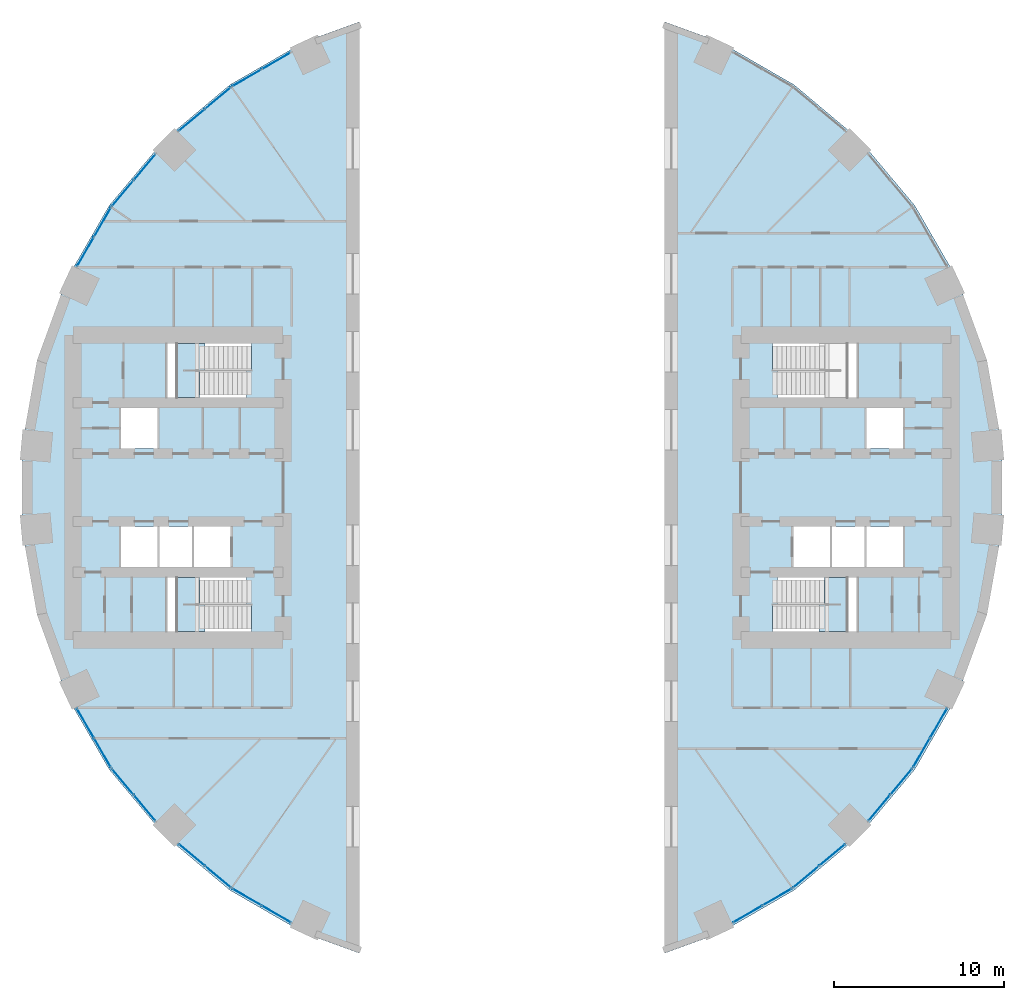
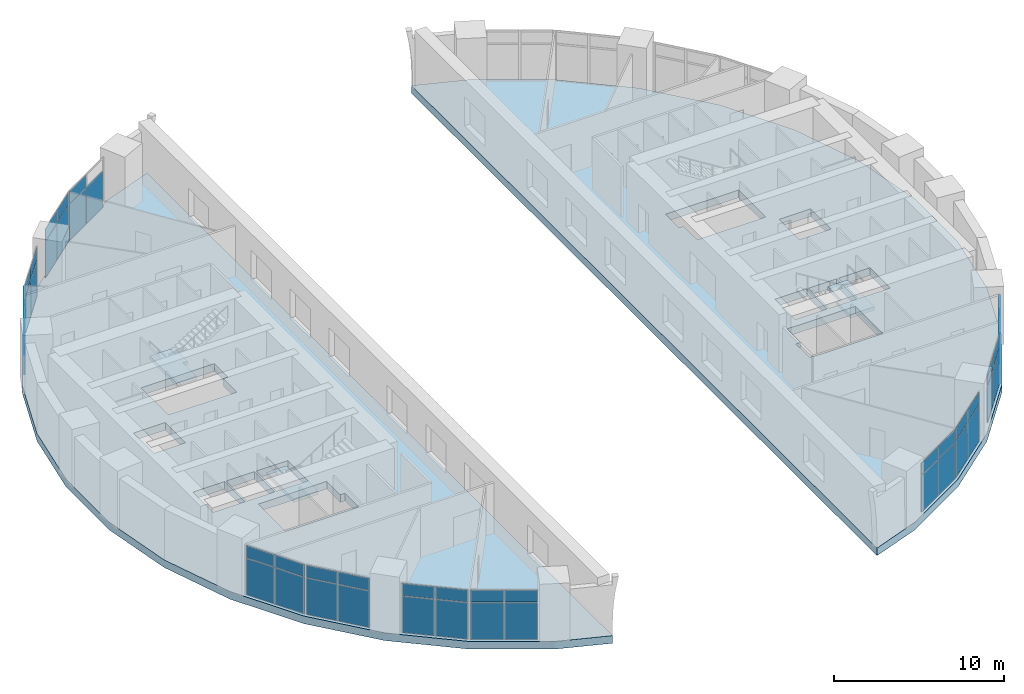
# One storey, part 6 of 13: 47 plates, 5 slabs, 15 elements without a shape of their own.
"""IFC4 building model written with IfcOpenShell, lengths in metres."""

from ifc_helpers import new_model, si_unit, direction, frame, origin, origin_2d, place, context, subcontext, project, spatial, polyline, rectangle, outline, extrude, material, layer, layer_set, type_object, element, aggregate, save


model = new_model("IFC4")

# Units and contexts
model_context = context("Model", 3, precision=1e-05, world=origin(), true_north=direction((0.0, 1.0)))
body_context = subcontext(model_context, "Body", "Model", "MODEL_VIEW")
ifc_project = project(units=[si_unit("LENGTHUNIT", "METRE"), si_unit("AREAUNIT", "SQUARE_METRE"), si_unit("VOLUMEUNIT", "CUBIC_METRE"), si_unit("PLANEANGLEUNIT", "RADIAN"), si_unit("MASSUNIT", "GRAM", prefix="KILO")], contexts=[model_context])

# Site, building, storey
site_placement = place(None, origin())
site = spatial("IfcSite", under=ifc_project, at=site_placement, CompositionType="ELEMENT")
building_placement = place(site_placement, origin())
building = spatial("IfcBuilding", under=site, at=building_placement, Name="Saqina Gate Tower", CompositionType="ELEMENT")
storey_placement = place(building_placement, frame((0.0, 0.0, 5.0)))
storey = spatial("IfcBuildingStorey", under=building, at=storey_placement, Name="L01", CompositionType="ELEMENT", Elevation=5.0)

# Curtain wall, plates
ifc_material_1 = material(Name="Aluminium glazing", Category="aluminium")
ifc_layer_1 = layer(ifc_material_1, 0.159912109375)
ifc_layer_set_1 = layer_set([ifc_layer_1], Name="CWT-1")
curtain_wall_type = type_object("IfcCurtainWallType", Name="CWT-1", PredefinedType="NOTDEFINED", material=ifc_layer_set_1)
curtain_wall_1_placement = place(storey_placement, origin())
curtain_wall_1 = element("IfcCurtainWall", 1, at=curtain_wall_1_placement, inside=storey, type_object=curtain_wall_type, Name="Podium shopfront facet 12", PredefinedType="NOTDEFINED")
ifc_material_2 = material(Name="Glass", Category="glass")
ifc_layer_2 = layer(ifc_material_2, 0.028076171875)
ifc_layer_set_2 = layer_set([ifc_layer_2], Name="CWT-1P")
plate_type = type_object("IfcPlateType", Name="CWT-1P", PredefinedType="CURTAIN_PANEL", material=ifc_layer_set_2)
plate_1_placement = place(storey_placement, frame((-13.90283203125, 25.158935546875, 0.06005859375), z_axis=(0.0, 0.0, 1.0), x_axis=(-0.866017381415, -0.500013894893, 0.0)))
plate_1 = element("IfcPlate", 2, at=plate_1_placement, type_object=plate_type, Name="CW1-12 panel 1.1", PredefinedType="CURTAIN_PANEL", context=body_context, shape_type="SweptSolid", body=[
    extrude(rectangle(XDim=1.944580078125, YDim=0.028076171875, at=origin_2d()), origin(), (0.0, 0.0, 1.0), 2.610107421875),
])
plate_2_placement = place(storey_placement, frame((-15.638671875, 24.15673828125, 0.06005859375), z_axis=(0.0, 0.0, 1.0), x_axis=(-0.866017381415, -0.500013894893, 0.0)))
plate_2 = element("IfcPlate", 3, at=plate_2_placement, type_object=plate_type, Name="CW1-12 panel 2.1", PredefinedType="CURTAIN_PANEL", context=body_context, shape_type="SweptSolid", body=[
    extrude(rectangle(XDim=1.944580078125, YDim=0.028076171875, at=origin_2d()), origin(), (0.0, 0.0, 1.0), 2.610107421875),
])
plate_3_placement = place(storey_placement, frame((-15.638671875, 24.15673828125, 2.72998046875), z_axis=(0.0, 0.0, 1.0), x_axis=(-0.866017381415, -0.500013894893, 0.0)))
plate_3 = element("IfcPlate", 4, at=plate_3_placement, type_object=plate_type, Name="CW1-12 panel 2.2", PredefinedType="CURTAIN_PANEL", context=body_context, shape_type="SweptSolid", body=[
    extrude(rectangle(XDim=1.944580078125, YDim=0.028076171875, at=origin_2d()), origin(), (0.0, 0.0, 1.0), 0.860107421875),
])
aggregate(curtain_wall_1, [plate_1, plate_2, plate_3])

curtain_wall_2_placement = place(storey_placement, origin())
curtain_wall_2 = element("IfcCurtainWall", 5, at=curtain_wall_2_placement, inside=storey, type_object=curtain_wall_type, Name="Podium shopfront facet 13", PredefinedType="NOTDEFINED")
plate_4_placement = place(storey_placement, frame((-17.35107421875, 22.957763671875, 0.06005859375), z_axis=(0.0, 0.0, 1.0), x_axis=(-0.766051396473, -0.642779322911, 0.0)))
plate_4 = element("IfcPlate", 6, at=plate_4_placement, type_object=plate_type, Name="CW1-13 panel 1.1", PredefinedType="CURTAIN_PANEL", context=body_context, shape_type="SweptSolid", body=[
    extrude(rectangle(XDim=1.944580078125, YDim=0.028076171875, at=origin_2d()), origin(), (0.0, 0.0, 1.0), 2.610107421875),
])
plate_5_placement = place(storey_placement, frame((-17.35107421875, 22.957763671875, 2.72998046875), z_axis=(0.0, 0.0, 1.0), x_axis=(-0.766051396473, -0.642779322911, 0.0)))
plate_5 = element("IfcPlate", 7, at=plate_5_placement, type_object=plate_type, Name="CW1-13 panel 1.2", PredefinedType="CURTAIN_PANEL", context=body_context, shape_type="SweptSolid", body=[
    extrude(rectangle(XDim=1.944580078125, YDim=0.028076171875, at=origin_2d()), origin(), (0.0, 0.0, 1.0), 0.860107421875),
])
plate_6_placement = place(storey_placement, frame((-18.88671875, 21.669189453125, 0.06005859375), z_axis=(0.0, 0.0, 1.0), x_axis=(-0.766051396473, -0.642779322911, 0.0)))
plate_6 = element("IfcPlate", 8, at=plate_6_placement, type_object=plate_type, Name="CW1-13 panel 2.1", PredefinedType="CURTAIN_PANEL", context=body_context, shape_type="SweptSolid", body=[
    extrude(rectangle(XDim=1.944580078125, YDim=0.028076171875, at=origin_2d()), origin(), (0.0, 0.0, 1.0), 2.610107421875),
])
plate_7_placement = place(storey_placement, frame((-18.88671875, 21.669189453125, 2.72998046875), z_axis=(0.0, 0.0, 1.0), x_axis=(-0.766051396473, -0.642779322911, 0.0)))
plate_7 = element("IfcPlate", 9, at=plate_7_placement, type_object=plate_type, Name="CW1-13 panel 2.2", PredefinedType="CURTAIN_PANEL", context=body_context, shape_type="SweptSolid", body=[
    extrude(rectangle(XDim=1.944580078125, YDim=0.028076171875, at=origin_2d()), origin(), (0.0, 0.0, 1.0), 0.860107421875),
])
aggregate(curtain_wall_2, [plate_4, plate_5, plate_6, plate_7])

curtain_wall_3_placement = place(storey_placement, origin())
curtain_wall_3 = element("IfcCurtainWall", 10, at=curtain_wall_3_placement, inside=storey, type_object=curtain_wall_type, Name="Podium shopfront facet 14", PredefinedType="NOTDEFINED")
plate_8_placement = place(storey_placement, frame((-21.669189453125, 18.88671875, 0.06005859375), z_axis=(0.0, 0.0, 1.0), x_axis=(-0.642779322911, -0.766051396473, 0.0)))
plate_8 = element("IfcPlate", 11, at=plate_8_placement, type_object=plate_type, Name="CW1-14 panel 1.1", PredefinedType="CURTAIN_PANEL", context=body_context, shape_type="SweptSolid", body=[
    extrude(rectangle(XDim=1.944580078125, YDim=0.028076171875, at=origin_2d()), origin(), (0.0, 0.0, 1.0), 2.610107421875),
])
plate_9_placement = place(storey_placement, frame((-21.669189453125, 18.88671875, 2.72998046875), z_axis=(0.0, 0.0, 1.0), x_axis=(-0.642779322911, -0.766051396473, 0.0)))
plate_9 = element("IfcPlate", 12, at=plate_9_placement, type_object=plate_type, Name="CW1-14 panel 1.2", PredefinedType="CURTAIN_PANEL", context=body_context, shape_type="SweptSolid", body=[
    extrude(rectangle(XDim=1.944580078125, YDim=0.028076171875, at=origin_2d()), origin(), (0.0, 0.0, 1.0), 0.860107421875),
])
plate_10_placement = place(storey_placement, frame((-22.957763671875, 17.35107421875, 0.06005859375), z_axis=(0.0, 0.0, 1.0), x_axis=(-0.642779322911, -0.766051396473, 0.0)))
plate_10 = element("IfcPlate", 13, at=plate_10_placement, type_object=plate_type, Name="CW1-14 panel 2.1", PredefinedType="CURTAIN_PANEL", context=body_context, shape_type="SweptSolid", body=[
    extrude(rectangle(XDim=1.944580078125, YDim=0.028076171875, at=origin_2d()), origin(), (0.0, 0.0, 1.0), 2.610107421875),
])
plate_11_placement = place(storey_placement, frame((-22.957763671875, 17.35107421875, 2.72998046875), z_axis=(0.0, 0.0, 1.0), x_axis=(-0.642779322911, -0.766051396473, 0.0)))
plate_11 = element("IfcPlate", 14, at=plate_11_placement, type_object=plate_type, Name="CW1-14 panel 2.2", PredefinedType="CURTAIN_PANEL", context=body_context, shape_type="SweptSolid", body=[
    extrude(rectangle(XDim=1.944580078125, YDim=0.028076171875, at=origin_2d()), origin(), (0.0, 0.0, 1.0), 0.860107421875),
])
aggregate(curtain_wall_3, [plate_8, plate_9, plate_10, plate_11])

curtain_wall_4_placement = place(storey_placement, origin())
curtain_wall_4 = element("IfcCurtainWall", 15, at=curtain_wall_4_placement, inside=storey, type_object=curtain_wall_type, Name="Podium shopfront facet 15", PredefinedType="NOTDEFINED")
plate_12_placement = place(storey_placement, frame((-24.15673828125, 15.638671875, 0.06005859375), z_axis=(0.0, 0.0, 1.0), x_axis=(-0.500013894893, -0.866017381415, 0.0)))
plate_12 = element("IfcPlate", 16, at=plate_12_placement, type_object=plate_type, Name="CW1-15 panel 1.1", PredefinedType="CURTAIN_PANEL", context=body_context, shape_type="SweptSolid", body=[
    extrude(rectangle(XDim=1.944580078125, YDim=0.028076171875, at=origin_2d()), origin(), (0.0, 0.0, 1.0), 2.610107421875),
])
plate_13_placement = place(storey_placement, frame((-24.15673828125, 15.638671875, 2.72998046875), z_axis=(0.0, 0.0, 1.0), x_axis=(-0.500013894893, -0.866017381415, 0.0)))
plate_13 = element("IfcPlate", 17, at=plate_13_placement, type_object=plate_type, Name="CW1-15 panel 1.2", PredefinedType="CURTAIN_PANEL", context=body_context, shape_type="SweptSolid", body=[
    extrude(rectangle(XDim=1.944580078125, YDim=0.028076171875, at=origin_2d()), origin(), (0.0, 0.0, 1.0), 0.860107421875),
])
plate_14_placement = place(storey_placement, frame((-25.158935546875, 13.90283203125, 0.06005859375), z_axis=(0.0, 0.0, 1.0), x_axis=(-0.500013894893, -0.866017381415, 0.0)))
plate_14 = element("IfcPlate", 18, at=plate_14_placement, type_object=plate_type, Name="CW1-15 panel 2.1", PredefinedType="CURTAIN_PANEL", context=body_context, shape_type="SweptSolid", body=[
    extrude(rectangle(XDim=1.944580078125, YDim=0.028076171875, at=origin_2d()), origin(), (0.0, 0.0, 1.0), 2.610107421875),
])
plate_15_placement = place(storey_placement, frame((-25.158935546875, 13.90283203125, 2.72998046875), z_axis=(0.0, 0.0, 1.0), x_axis=(-0.500013894893, -0.866017381415, 0.0)))
plate_15 = element("IfcPlate", 19, at=plate_15_placement, type_object=plate_type, Name="CW1-15 panel 2.2", PredefinedType="CURTAIN_PANEL", context=body_context, shape_type="SweptSolid", body=[
    extrude(rectangle(XDim=1.944580078125, YDim=0.028076171875, at=origin_2d()), origin(), (0.0, 0.0, 1.0), 0.860107421875),
])
aggregate(curtain_wall_4, [plate_12, plate_13, plate_14, plate_15])

curtain_wall_5_placement = place(storey_placement, origin())
curtain_wall_5 = element("IfcCurtainWall", 20, at=curtain_wall_5_placement, inside=storey, type_object=curtain_wall_type, Name="Podium shopfront facet 21", PredefinedType="NOTDEFINED")
plate_16_placement = place(storey_placement, frame((-25.158935546875, -13.90283203125, 0.06005859375), z_axis=(0.0, 0.0, 1.0), x_axis=(0.500013894893, -0.866017381415, 0.0)))
plate_16 = element("IfcPlate", 21, at=plate_16_placement, type_object=plate_type, Name="CW1-21 panel 1.1", PredefinedType="CURTAIN_PANEL", context=body_context, shape_type="SweptSolid", body=[
    extrude(rectangle(XDim=1.944580078125, YDim=0.028076171875, at=origin_2d()), origin(), (0.0, 0.0, 1.0), 2.610107421875),
])
plate_17_placement = place(storey_placement, frame((-25.158935546875, -13.90283203125, 2.72998046875), z_axis=(0.0, 0.0, 1.0), x_axis=(0.500013894893, -0.866017381415, 0.0)))
plate_17 = element("IfcPlate", 22, at=plate_17_placement, type_object=plate_type, Name="CW1-21 panel 1.2", PredefinedType="CURTAIN_PANEL", context=body_context, shape_type="SweptSolid", body=[
    extrude(rectangle(XDim=1.944580078125, YDim=0.028076171875, at=origin_2d()), origin(), (0.0, 0.0, 1.0), 0.860107421875),
])
plate_18_placement = place(storey_placement, frame((-24.15673828125, -15.638671875, 0.06005859375), z_axis=(0.0, 0.0, 1.0), x_axis=(0.500013894893, -0.866017381415, 0.0)))
plate_18 = element("IfcPlate", 23, at=plate_18_placement, type_object=plate_type, Name="CW1-21 panel 2.1", PredefinedType="CURTAIN_PANEL", context=body_context, shape_type="SweptSolid", body=[
    extrude(rectangle(XDim=1.944580078125, YDim=0.028076171875, at=origin_2d()), origin(), (0.0, 0.0, 1.0), 2.610107421875),
])
plate_19_placement = place(storey_placement, frame((-24.15673828125, -15.638671875, 2.72998046875), z_axis=(0.0, 0.0, 1.0), x_axis=(0.500013894893, -0.866017381415, 0.0)))
plate_19 = element("IfcPlate", 24, at=plate_19_placement, type_object=plate_type, Name="CW1-21 panel 2.2", PredefinedType="CURTAIN_PANEL", context=body_context, shape_type="SweptSolid", body=[
    extrude(rectangle(XDim=1.944580078125, YDim=0.028076171875, at=origin_2d()), origin(), (0.0, 0.0, 1.0), 0.860107421875),
])
aggregate(curtain_wall_5, [plate_16, plate_17, plate_18, plate_19])

curtain_wall_6_placement = place(storey_placement, origin())
curtain_wall_6 = element("IfcCurtainWall", 25, at=curtain_wall_6_placement, inside=storey, type_object=curtain_wall_type, Name="Podium shopfront facet 22", PredefinedType="NOTDEFINED")
plate_20_placement = place(storey_placement, frame((-22.957763671875, -17.35107421875, 0.06005859375), z_axis=(0.0, 0.0, 1.0), x_axis=(0.642779322911, -0.766051396473, 0.0)))
plate_20 = element("IfcPlate", 26, at=plate_20_placement, type_object=plate_type, Name="CW1-22 panel 1.1", PredefinedType="CURTAIN_PANEL", context=body_context, shape_type="SweptSolid", body=[
    extrude(rectangle(XDim=1.944580078125, YDim=0.028076171875, at=origin_2d()), origin(), (0.0, 0.0, 1.0), 2.610107421875),
])
plate_21_placement = place(storey_placement, frame((-22.957763671875, -17.35107421875, 2.72998046875), z_axis=(0.0, 0.0, 1.0), x_axis=(0.642779322911, -0.766051396473, 0.0)))
plate_21 = element("IfcPlate", 27, at=plate_21_placement, type_object=plate_type, Name="CW1-22 panel 1.2", PredefinedType="CURTAIN_PANEL", context=body_context, shape_type="SweptSolid", body=[
    extrude(rectangle(XDim=1.944580078125, YDim=0.028076171875, at=origin_2d()), origin(), (0.0, 0.0, 1.0), 0.860107421875),
])
plate_22_placement = place(storey_placement, frame((-21.669189453125, -18.88671875, 0.06005859375), z_axis=(0.0, 0.0, 1.0), x_axis=(0.642779322911, -0.766051396473, 0.0)))
plate_22 = element("IfcPlate", 28, at=plate_22_placement, type_object=plate_type, Name="CW1-22 panel 2.1", PredefinedType="CURTAIN_PANEL", context=body_context, shape_type="SweptSolid", body=[
    extrude(rectangle(XDim=1.944580078125, YDim=0.028076171875, at=origin_2d()), origin(), (0.0, 0.0, 1.0), 2.610107421875),
])
plate_23_placement = place(storey_placement, frame((-21.669189453125, -18.88671875, 2.72998046875), z_axis=(0.0, 0.0, 1.0), x_axis=(0.642779322911, -0.766051396473, 0.0)))
plate_23 = element("IfcPlate", 29, at=plate_23_placement, type_object=plate_type, Name="CW1-22 panel 2.2", PredefinedType="CURTAIN_PANEL", context=body_context, shape_type="SweptSolid", body=[
    extrude(rectangle(XDim=1.944580078125, YDim=0.028076171875, at=origin_2d()), origin(), (0.0, 0.0, 1.0), 0.860107421875),
])
aggregate(curtain_wall_6, [plate_20, plate_21, plate_22, plate_23])

curtain_wall_7_placement = place(storey_placement, origin())
curtain_wall_7 = element("IfcCurtainWall", 30, at=curtain_wall_7_placement, inside=storey, type_object=curtain_wall_type, Name="Podium shopfront facet 23", PredefinedType="NOTDEFINED")
plate_24_placement = place(storey_placement, frame((-18.88671875, -21.669189453125, 0.06005859375), z_axis=(0.0, 0.0, 1.0), x_axis=(0.766051396473, -0.642779322911, 0.0)))
plate_24 = element("IfcPlate", 31, at=plate_24_placement, type_object=plate_type, Name="CW1-23 panel 1.1", PredefinedType="CURTAIN_PANEL", context=body_context, shape_type="SweptSolid", body=[
    extrude(rectangle(XDim=1.944580078125, YDim=0.028076171875, at=origin_2d()), origin(), (0.0, 0.0, 1.0), 2.610107421875),
])
plate_25_placement = place(storey_placement, frame((-18.88671875, -21.669189453125, 2.72998046875), z_axis=(0.0, 0.0, 1.0), x_axis=(0.766051396473, -0.642779322911, 0.0)))
plate_25 = element("IfcPlate", 32, at=plate_25_placement, type_object=plate_type, Name="CW1-23 panel 1.2", PredefinedType="CURTAIN_PANEL", context=body_context, shape_type="SweptSolid", body=[
    extrude(rectangle(XDim=1.944580078125, YDim=0.028076171875, at=origin_2d()), origin(), (0.0, 0.0, 1.0), 0.860107421875),
])
plate_26_placement = place(storey_placement, frame((-17.35107421875, -22.957763671875, 0.06005859375), z_axis=(0.0, 0.0, 1.0), x_axis=(0.766051396473, -0.642779322911, 0.0)))
plate_26 = element("IfcPlate", 33, at=plate_26_placement, type_object=plate_type, Name="CW1-23 panel 2.1", PredefinedType="CURTAIN_PANEL", context=body_context, shape_type="SweptSolid", body=[
    extrude(rectangle(XDim=1.944580078125, YDim=0.028076171875, at=origin_2d()), origin(), (0.0, 0.0, 1.0), 2.610107421875),
])
plate_27_placement = place(storey_placement, frame((-17.35107421875, -22.957763671875, 2.72998046875), z_axis=(0.0, 0.0, 1.0), x_axis=(0.766051396473, -0.642779322911, 0.0)))
plate_27 = element("IfcPlate", 34, at=plate_27_placement, type_object=plate_type, Name="CW1-23 panel 2.2", PredefinedType="CURTAIN_PANEL", context=body_context, shape_type="SweptSolid", body=[
    extrude(rectangle(XDim=1.944580078125, YDim=0.028076171875, at=origin_2d()), origin(), (0.0, 0.0, 1.0), 0.860107421875),
])
aggregate(curtain_wall_7, [plate_24, plate_25, plate_26, plate_27])

curtain_wall_8_placement = place(storey_placement, origin())
curtain_wall_8 = element("IfcCurtainWall", 35, at=curtain_wall_8_placement, inside=storey, type_object=curtain_wall_type, Name="Podium shopfront facet 24", PredefinedType="NOTDEFINED")
plate_28_placement = place(storey_placement, frame((-15.638671875, -24.15673828125, 0.06005859375), z_axis=(0.0, 0.0, 1.0), x_axis=(0.866017381415, -0.500013894893, 0.0)))
plate_28 = element("IfcPlate", 36, at=plate_28_placement, type_object=plate_type, Name="CW1-24 panel 1.1", PredefinedType="CURTAIN_PANEL", context=body_context, shape_type="SweptSolid", body=[
    extrude(rectangle(XDim=1.944580078125, YDim=0.028076171875, at=origin_2d()), origin(), (0.0, 0.0, 1.0), 2.610107421875),
])
plate_29_placement = place(storey_placement, frame((-15.638671875, -24.15673828125, 2.72998046875), z_axis=(0.0, 0.0, 1.0), x_axis=(0.866017381415, -0.500013894893, 0.0)))
plate_29 = element("IfcPlate", 37, at=plate_29_placement, type_object=plate_type, Name="CW1-24 panel 1.2", PredefinedType="CURTAIN_PANEL", context=body_context, shape_type="SweptSolid", body=[
    extrude(rectangle(XDim=1.944580078125, YDim=0.028076171875, at=origin_2d()), origin(), (0.0, 0.0, 1.0), 0.860107421875),
])
plate_30_placement = place(storey_placement, frame((-13.90283203125, -25.158935546875, 0.06005859375), z_axis=(0.0, 0.0, 1.0), x_axis=(0.866017381415, -0.500013894893, 0.0)))
plate_30 = element("IfcPlate", 38, at=plate_30_placement, type_object=plate_type, Name="CW1-24 panel 2.1", PredefinedType="CURTAIN_PANEL", context=body_context, shape_type="SweptSolid", body=[
    extrude(rectangle(XDim=1.944580078125, YDim=0.028076171875, at=origin_2d()), origin(), (0.0, 0.0, 1.0), 2.610107421875),
])
plate_31_placement = place(storey_placement, frame((-13.90283203125, -25.158935546875, 2.72998046875), z_axis=(0.0, 0.0, 1.0), x_axis=(0.866017381415, -0.500013894893, 0.0)))
plate_31 = element("IfcPlate", 39, at=plate_31_placement, type_object=plate_type, Name="CW1-24 panel 2.2", PredefinedType="CURTAIN_PANEL", context=body_context, shape_type="SweptSolid", body=[
    extrude(rectangle(XDim=1.944580078125, YDim=0.028076171875, at=origin_2d()), origin(), (0.0, 0.0, 1.0), 0.860107421875),
])
aggregate(curtain_wall_8, [plate_28, plate_29, plate_30, plate_31])

curtain_wall_9_placement = place(storey_placement, origin())
curtain_wall_9 = element("IfcCurtainWall", 40, at=curtain_wall_9_placement, inside=storey, type_object=curtain_wall_type, Name="Podium shopfront facet 30", PredefinedType="NOTDEFINED")
plate_32_placement = place(storey_placement, frame((13.90283203125, -25.158935546875, 0.06005859375), z_axis=(0.0, 0.0, 1.0), x_axis=(0.866017381415, 0.500013894893, 0.0)))
plate_32 = element("IfcPlate", 41, at=plate_32_placement, type_object=plate_type, Name="CW1-30 panel 1.1", PredefinedType="CURTAIN_PANEL", context=body_context, shape_type="SweptSolid", body=[
    extrude(rectangle(XDim=1.944580078125, YDim=0.028076171875, at=origin_2d()), origin(), (0.0, 0.0, 1.0), 2.610107421875),
])
plate_33_placement = place(storey_placement, frame((13.90283203125, -25.158935546875, 2.72998046875), z_axis=(0.0, 0.0, 1.0), x_axis=(0.866017381415, 0.500013894893, 0.0)))
plate_33 = element("IfcPlate", 42, at=plate_33_placement, type_object=plate_type, Name="CW1-30 panel 1.2", PredefinedType="CURTAIN_PANEL", context=body_context, shape_type="SweptSolid", body=[
    extrude(rectangle(XDim=1.944580078125, YDim=0.028076171875, at=origin_2d()), origin(), (0.0, 0.0, 1.0), 0.860107421875),
])
plate_34_placement = place(storey_placement, frame((15.638671875, -24.15673828125, 0.06005859375), z_axis=(0.0, 0.0, 1.0), x_axis=(0.866017381415, 0.500013894893, 0.0)))
plate_34 = element("IfcPlate", 43, at=plate_34_placement, type_object=plate_type, Name="CW1-30 panel 2.1", PredefinedType="CURTAIN_PANEL", context=body_context, shape_type="SweptSolid", body=[
    extrude(rectangle(XDim=1.944580078125, YDim=0.028076171875, at=origin_2d()), origin(), (0.0, 0.0, 1.0), 2.610107421875),
])
plate_35_placement = place(storey_placement, frame((15.638671875, -24.15673828125, 2.72998046875), z_axis=(0.0, 0.0, 1.0), x_axis=(0.866017381415, 0.500013894893, 0.0)))
plate_35 = element("IfcPlate", 44, at=plate_35_placement, type_object=plate_type, Name="CW1-30 panel 2.2", PredefinedType="CURTAIN_PANEL", context=body_context, shape_type="SweptSolid", body=[
    extrude(rectangle(XDim=1.944580078125, YDim=0.028076171875, at=origin_2d()), origin(), (0.0, 0.0, 1.0), 0.860107421875),
])
aggregate(curtain_wall_9, [plate_32, plate_33, plate_34, plate_35])

curtain_wall_10_placement = place(storey_placement, origin())
curtain_wall_10 = element("IfcCurtainWall", 45, at=curtain_wall_10_placement, inside=storey, type_object=curtain_wall_type, Name="Podium shopfront facet 31", PredefinedType="NOTDEFINED")
plate_36_placement = place(storey_placement, frame((17.35107421875, -22.957763671875, 0.06005859375), z_axis=(0.0, 0.0, 1.0), x_axis=(0.766051396473, 0.642779322911, 0.0)))
plate_36 = element("IfcPlate", 46, at=plate_36_placement, type_object=plate_type, Name="CW1-31 panel 1.1", PredefinedType="CURTAIN_PANEL", context=body_context, shape_type="SweptSolid", body=[
    extrude(rectangle(XDim=1.944580078125, YDim=0.028076171875, at=origin_2d()), origin(), (0.0, 0.0, 1.0), 2.610107421875),
])
plate_37_placement = place(storey_placement, frame((17.35107421875, -22.957763671875, 2.72998046875), z_axis=(0.0, 0.0, 1.0), x_axis=(0.766051396473, 0.642779322911, 0.0)))
plate_37 = element("IfcPlate", 47, at=plate_37_placement, type_object=plate_type, Name="CW1-31 panel 1.2", PredefinedType="CURTAIN_PANEL", context=body_context, shape_type="SweptSolid", body=[
    extrude(rectangle(XDim=1.944580078125, YDim=0.028076171875, at=origin_2d()), origin(), (0.0, 0.0, 1.0), 0.860107421875),
])
plate_38_placement = place(storey_placement, frame((18.88671875, -21.669189453125, 0.06005859375), z_axis=(0.0, 0.0, 1.0), x_axis=(0.766051396473, 0.642779322911, 0.0)))
plate_38 = element("IfcPlate", 48, at=plate_38_placement, type_object=plate_type, Name="CW1-31 panel 2.1", PredefinedType="CURTAIN_PANEL", context=body_context, shape_type="SweptSolid", body=[
    extrude(rectangle(XDim=1.944580078125, YDim=0.028076171875, at=origin_2d()), origin(), (0.0, 0.0, 1.0), 2.610107421875),
])
plate_39_placement = place(storey_placement, frame((18.88671875, -21.669189453125, 2.72998046875), z_axis=(0.0, 0.0, 1.0), x_axis=(0.766051396473, 0.642779322911, 0.0)))
plate_39 = element("IfcPlate", 49, at=plate_39_placement, type_object=plate_type, Name="CW1-31 panel 2.2", PredefinedType="CURTAIN_PANEL", context=body_context, shape_type="SweptSolid", body=[
    extrude(rectangle(XDim=1.944580078125, YDim=0.028076171875, at=origin_2d()), origin(), (0.0, 0.0, 1.0), 0.860107421875),
])
aggregate(curtain_wall_10, [plate_36, plate_37, plate_38, plate_39])

curtain_wall_11_placement = place(storey_placement, origin())
curtain_wall_11 = element("IfcCurtainWall", 50, at=curtain_wall_11_placement, inside=storey, type_object=curtain_wall_type, Name="Podium shopfront facet 32", PredefinedType="NOTDEFINED")
plate_40_placement = place(storey_placement, frame((21.669189453125, -18.88671875, 0.06005859375), z_axis=(0.0, 0.0, 1.0), x_axis=(0.642779322911, 0.766051396473, 0.0)))
plate_40 = element("IfcPlate", 51, at=plate_40_placement, type_object=plate_type, Name="CW1-32 panel 1.1", PredefinedType="CURTAIN_PANEL", context=body_context, shape_type="SweptSolid", body=[
    extrude(rectangle(XDim=1.944580078125, YDim=0.028076171875, at=origin_2d()), origin(), (0.0, 0.0, 1.0), 2.610107421875),
])
plate_41_placement = place(storey_placement, frame((21.669189453125, -18.88671875, 2.72998046875), z_axis=(0.0, 0.0, 1.0), x_axis=(0.642779322911, 0.766051396473, 0.0)))
plate_41 = element("IfcPlate", 52, at=plate_41_placement, type_object=plate_type, Name="CW1-32 panel 1.2", PredefinedType="CURTAIN_PANEL", context=body_context, shape_type="SweptSolid", body=[
    extrude(rectangle(XDim=1.944580078125, YDim=0.028076171875, at=origin_2d()), origin(), (0.0, 0.0, 1.0), 0.860107421875),
])
plate_42_placement = place(storey_placement, frame((22.957763671875, -17.35107421875, 0.06005859375), z_axis=(0.0, 0.0, 1.0), x_axis=(0.642779322911, 0.766051396473, 0.0)))
plate_42 = element("IfcPlate", 53, at=plate_42_placement, type_object=plate_type, Name="CW1-32 panel 2.1", PredefinedType="CURTAIN_PANEL", context=body_context, shape_type="SweptSolid", body=[
    extrude(rectangle(XDim=1.944580078125, YDim=0.028076171875, at=origin_2d()), origin(), (0.0, 0.0, 1.0), 2.610107421875),
])
plate_43_placement = place(storey_placement, frame((22.957763671875, -17.35107421875, 2.72998046875), z_axis=(0.0, 0.0, 1.0), x_axis=(0.642779322911, 0.766051396473, 0.0)))
plate_43 = element("IfcPlate", 54, at=plate_43_placement, type_object=plate_type, Name="CW1-32 panel 2.2", PredefinedType="CURTAIN_PANEL", context=body_context, shape_type="SweptSolid", body=[
    extrude(rectangle(XDim=1.944580078125, YDim=0.028076171875, at=origin_2d()), origin(), (0.0, 0.0, 1.0), 0.860107421875),
])
aggregate(curtain_wall_11, [plate_40, plate_41, plate_42, plate_43])

curtain_wall_12_placement = place(storey_placement, origin())
curtain_wall_12 = element("IfcCurtainWall", 55, at=curtain_wall_12_placement, inside=storey, type_object=curtain_wall_type, Name="Podium shopfront facet 33", PredefinedType="NOTDEFINED")
plate_44_placement = place(storey_placement, frame((24.15673828125, -15.638671875, 0.06005859375), z_axis=(0.0, 0.0, 1.0), x_axis=(0.500013894893, 0.866017381415, 0.0)))
plate_44 = element("IfcPlate", 56, at=plate_44_placement, type_object=plate_type, Name="CW1-33 panel 1.1", PredefinedType="CURTAIN_PANEL", context=body_context, shape_type="SweptSolid", body=[
    extrude(rectangle(XDim=1.944580078125, YDim=0.028076171875, at=origin_2d()), origin(), (0.0, 0.0, 1.0), 2.610107421875),
])
plate_45_placement = place(storey_placement, frame((24.15673828125, -15.638671875, 2.72998046875), z_axis=(0.0, 0.0, 1.0), x_axis=(0.500013894893, 0.866017381415, 0.0)))
plate_45 = element("IfcPlate", 57, at=plate_45_placement, type_object=plate_type, Name="CW1-33 panel 1.2", PredefinedType="CURTAIN_PANEL", context=body_context, shape_type="SweptSolid", body=[
    extrude(rectangle(XDim=1.944580078125, YDim=0.028076171875, at=origin_2d()), origin(), (0.0, 0.0, 1.0), 0.860107421875),
])
plate_46_placement = place(storey_placement, frame((25.158935546875, -13.90283203125, 0.06005859375), z_axis=(0.0, 0.0, 1.0), x_axis=(0.500013894893, 0.866017381415, 0.0)))
plate_46 = element("IfcPlate", 58, at=plate_46_placement, type_object=plate_type, Name="CW1-33 panel 2.1", PredefinedType="CURTAIN_PANEL", context=body_context, shape_type="SweptSolid", body=[
    extrude(rectangle(XDim=1.944580078125, YDim=0.028076171875, at=origin_2d()), origin(), (0.0, 0.0, 1.0), 2.610107421875),
])
plate_47_placement = place(storey_placement, frame((25.158935546875, -13.90283203125, 2.72998046875), z_axis=(0.0, 0.0, 1.0), x_axis=(0.500013894893, 0.866017381415, 0.0)))
plate_47 = element("IfcPlate", 59, at=plate_47_placement, type_object=plate_type, Name="CW1-33 panel 2.2", PredefinedType="CURTAIN_PANEL", context=body_context, shape_type="SweptSolid", body=[
    extrude(rectangle(XDim=1.944580078125, YDim=0.028076171875, at=origin_2d()), origin(), (0.0, 0.0, 1.0), 0.860107421875),
])
aggregate(curtain_wall_12, [plate_44, plate_45, plate_46, plate_47])

# Stair, slab
ifc_material_3 = material(Name="Concrete C40/50", Category="concrete")
stair_type = type_object("IfcStairType", Name="EXIT STAIR", PredefinedType="HALF_TURN_STAIR", material=ifc_material_3)
stair_1_placement = place(storey_placement, origin())
stair_1 = element("IfcStair", 60, at=stair_1_placement, inside=storey, type_object=stair_type, Name="EXIT STAIR 2", PredefinedType="HALF_TURN_STAIR")
ifc_material_4 = material(Name="Concrete C40/50", Category="concrete")
ifc_layer_3 = layer(ifc_material_4, 0.25)
ifc_layer_set_3 = layer_set([ifc_layer_3], Name="Concrete C40/50")
slab_type_1 = type_object("IfcSlabType", Name="EXIT STAIR LANDING", PredefinedType="LANDING", material=ifc_layer_set_3)
slab_1_placement = place(storey_placement, frame((0.0, 0.0, 1.85009765625)))
slab_1 = element("IfcSlab", 61, at=slab_1_placement, type_object=slab_type_1, Name="EXIT STAIR 2 LANDING 1", PredefinedType="LANDING", context=body_context, shape_type="SweptSolid", body=[
    extrude(outline(polyline([(18.10693359375, -8.5), (18.10693359375, -6.89990234375), (18.425048828125, -6.89990234375), (18.425048828125, -5.300048828125), (19.780029296875, -5.300048828125), (19.780029296875, -8.5), (18.429931640625, -8.5), (18.425048828125, -8.5), (18.10693359375, -8.5)])), origin(), (0.0, 0.0, 1.0), 0.25),
])
aggregate(stair_1, [slab_1])

stair_2_placement = place(storey_placement, origin())
stair_2 = element("IfcStair", 62, at=stair_2_placement, inside=storey, type_object=stair_type, Name="EXIT STAIR 3", PredefinedType="HALF_TURN_STAIR")
slab_2_placement = place(storey_placement, frame((0.0, 0.0, 1.85009765625)))
slab_2 = element("IfcSlab", 63, at=slab_2_placement, type_object=slab_type_1, Name="EXIT STAIR 3 LANDING 1", PredefinedType="LANDING", context=body_context, shape_type="SweptSolid", body=[
    extrude(outline(polyline([(-18.425048828125, 5.300048828125), (-19.780029296875, 5.300048828125), (-19.780029296875, 8.5), (-18.429931640625, 8.5), (-18.425048828125, 8.5), (-18.10693359375, 8.5), (-18.10693359375, 6.89990234375), (-18.425048828125, 6.89990234375), (-18.425048828125, 5.300048828125)])), origin(), (0.0, 0.0, 1.0), 0.25),
])
aggregate(stair_2, [slab_2])

stair_3_placement = place(storey_placement, origin())
stair_3 = element("IfcStair", 64, at=stair_3_placement, inside=storey, type_object=stair_type, Name="EXIT STAIR 4", PredefinedType="HALF_TURN_STAIR")
slab_3_placement = place(storey_placement, frame((0.0, 0.0, 1.85009765625)))
slab_3 = element("IfcSlab", 65, at=slab_3_placement, type_object=slab_type_1, Name="EXIT STAIR 4 LANDING 1", PredefinedType="LANDING", context=body_context, shape_type="SweptSolid", body=[
    extrude(outline(polyline([(-18.10693359375, -6.89990234375), (-18.10693359375, -8.5), (-18.425048828125, -8.5), (-18.429931640625, -8.5), (-19.780029296875, -8.5), (-19.780029296875, -5.300048828125), (-18.425048828125, -5.300048828125), (-18.425048828125, -6.89990234375), (-18.10693359375, -6.89990234375)])), origin(), (0.0, 0.0, 1.0), 0.25),
])
aggregate(stair_3, [slab_3])

# Slabs
ifc_material_5 = material(Name="Concrete C40/50", Category="concrete")
ifc_layer_4 = layer(ifc_material_5, 0.550048828125)
ifc_layer_set_4 = layer_set([ifc_layer_4], Name="Concrete C40/50")
slab_type_2 = type_object("IfcSlabType", Name="STR-POST-TENSIONED FLAT PLATE FLOOR-550", PredefinedType="FLOOR", material=ifc_layer_set_4)
slab_4_placement = place(storey_placement, frame((0.0, 0.0, -0.550048828125)))
element("IfcSlab", 66, at=slab_4_placement, inside=storey, type_object=slab_type_2, Name="L01-SLB01", PredefinedType="FLOOR", context=body_context, shape_type="SweptSolid", body=[
    extrude(outline(polyline([(-16.6337890625, -23.75537109375), (-12.255859375, -26.282958984375), (-9.0, -27.468017578125), (-9.0, 27.468017578125), (-12.255859375, 26.282958984375), (-16.6337890625, 23.75537109375), (-20.506103515625, 20.506103515625), (-23.75537109375, 16.6337890625), (-26.282958984375, 12.255859375), (-28.011962890625, 7.505859375), (-28.8896484375, 2.527587890625), (-28.8896484375, -2.527587890625), (-28.011962890625, -7.505859375), (-26.282958984375, -12.255859375), (-23.75537109375, -16.6337890625), (-20.506103515625, -20.506103515625), (-16.6337890625, -23.75537109375)]), holes=[polyline([(-20.340087890625, -8.5), (-20.340087890625, -6.89990234375), (-20.340087890625, -5.300048828125), (-15.673095703125, -5.300048828125), (-15.673095703125, -6.89990234375), (-15.35498046875, -6.89990234375), (-15.35498046875, -8.5), (-20.340087890625, -8.5)]), polyline([(-20.89990234375, -2.300048828125), (-20.89990234375, -4.699951171875), (-23.06005859375, -4.699951171875), (-23.06005859375, -2.300048828125), (-20.89990234375, -2.300048828125)]), polyline([(-18.8701171875, -2.300048828125), (-18.8701171875, -4.699951171875), (-20.780029296875, -4.699951171875), (-20.780029296875, -2.300048828125), (-18.8701171875, -2.300048828125)]), polyline([(-16.590087890625, -2.300048828125), (-16.590087890625, -4.699951171875), (-18.75, -4.699951171875), (-18.75, -2.300048828125), (-16.590087890625, -2.300048828125)]), polyline([(-20.89990234375, 4.699951171875), (-20.89990234375, 2.300048828125), (-23.06005859375, 2.300048828125), (-23.06005859375, 4.699951171875), (-20.89990234375, 4.699951171875)]), polyline([(-20.340087890625, 6.89990234375), (-20.340087890625, 8.5), (-15.35498046875, 8.5), (-15.35498046875, 6.89990234375), (-15.673095703125, 6.89990234375), (-15.673095703125, 5.300048828125), (-20.340087890625, 5.300048828125), (-20.340087890625, 6.89990234375)])]), origin(), (0.0, 0.0, 1.0), 0.550048828125),
])
slab_5_placement = place(storey_placement, frame((0.0, 0.0, -0.550048828125)))
element("IfcSlab", 67, at=slab_5_placement, inside=storey, type_object=slab_type_2, Name="L01-SLB02", PredefinedType="FLOOR", context=body_context, shape_type="SweptSolid", body=[
    extrude(outline(polyline([(26.282958984375, -12.255859375), (28.011962890625, -7.505859375), (28.8896484375, -2.527587890625), (28.8896484375, 2.527587890625), (28.011962890625, 7.505859375), (26.282958984375, 12.255859375), (23.75537109375, 16.6337890625), (20.506103515625, 20.506103515625), (16.6337890625, 23.75537109375), (12.255859375, 26.282958984375), (9.0, 27.468017578125), (9.0, -27.468017578125), (12.255859375, -26.282958984375), (16.6337890625, -23.75537109375), (20.506103515625, -20.506103515625), (23.75537109375, -16.6337890625), (26.282958984375, -12.255859375)]), holes=[polyline([(15.35498046875, -6.89990234375), (15.673095703125, -6.89990234375), (15.673095703125, -5.300048828125), (20.340087890625, -5.300048828125), (20.340087890625, -6.89990234375), (20.340087890625, -8.5), (15.35498046875, -8.5), (15.35498046875, -6.89990234375)]), polyline([(18.75, -2.300048828125), (18.75, -4.699951171875), (16.590087890625, -4.699951171875), (16.590087890625, -2.300048828125), (18.75, -2.300048828125)]), polyline([(20.780029296875, -2.300048828125), (20.780029296875, -4.699951171875), (18.8701171875, -4.699951171875), (18.8701171875, -2.300048828125), (20.780029296875, -2.300048828125)]), polyline([(23.06005859375, -2.300048828125), (23.06005859375, -4.699951171875), (20.89990234375, -4.699951171875), (20.89990234375, -2.300048828125), (23.06005859375, -2.300048828125)]), polyline([(23.06005859375, 4.699951171875), (23.06005859375, 2.300048828125), (20.89990234375, 2.300048828125), (20.89990234375, 4.699951171875), (23.06005859375, 4.699951171875)]), polyline([(15.673095703125, 6.89990234375), (15.35498046875, 6.89990234375), (15.35498046875, 8.5), (20.340087890625, 8.5), (20.340087890625, 6.89990234375), (20.340087890625, 5.300048828125), (15.673095703125, 5.300048828125), (15.673095703125, 6.89990234375)])]), origin(), (0.0, 0.0, 1.0), 0.550048828125),
])

save(model, "model.ifc")
